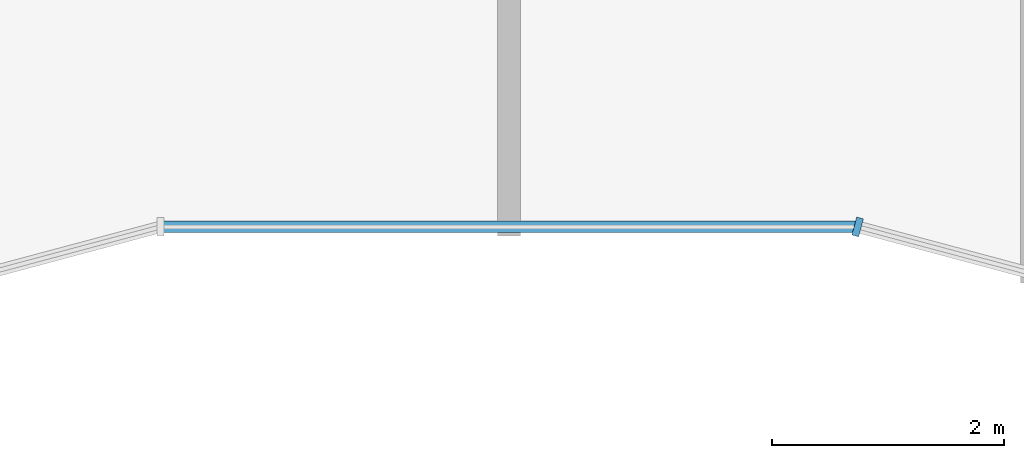
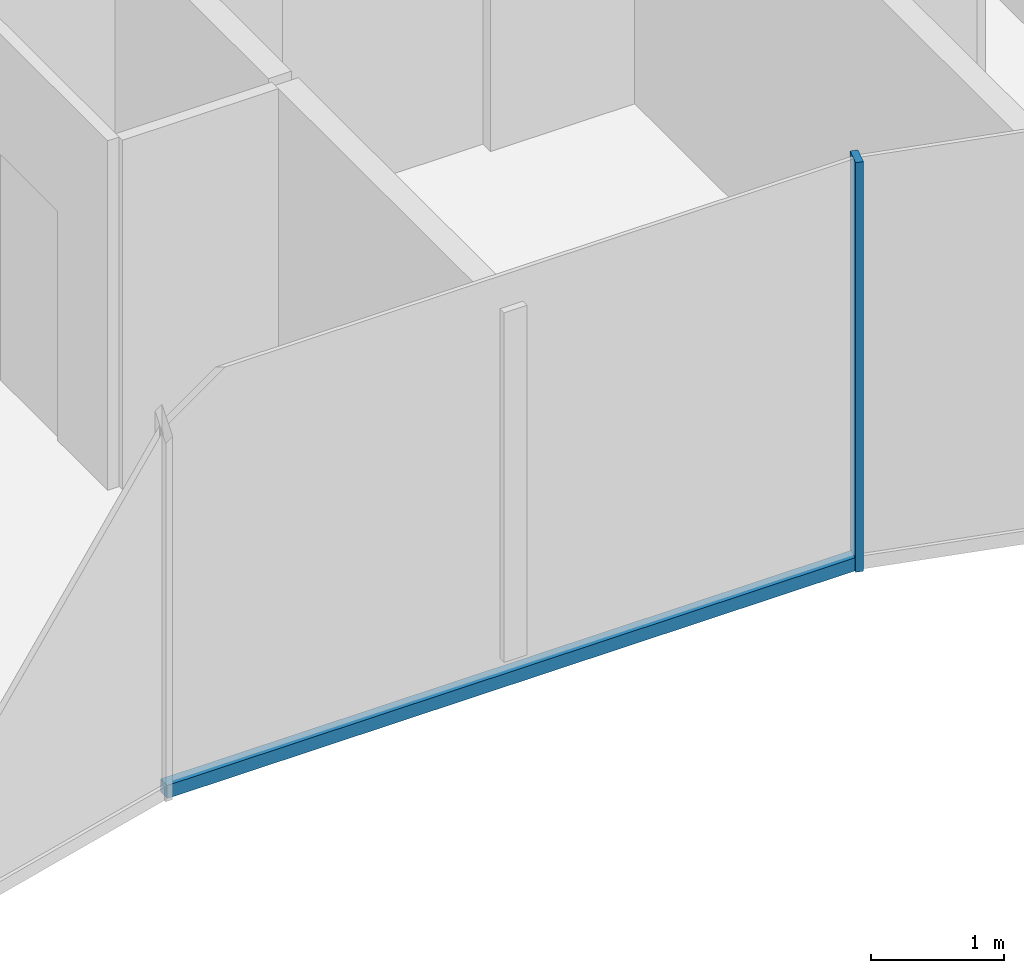
# One storey, part 3 of 9: 2 members, 2 elements without a shape of their own.
"""IFC4 building model written with IfcOpenShell, lengths in metres."""

from ifc_helpers import new_model, si_unit, direction, frame, origin, origin_2d, place, context, subcontext, project, spatial, rectangle, extrude, material, layer, layer_set, material_profile, profile_set, type_object, element, aggregate, save


model = new_model("IFC4")

# Units and contexts
model_context = context("Model", 3, precision=1e-05, world=origin(), true_north=direction((0.0, 1.0)))
body_context = subcontext(model_context, "Body", "Model", "MODEL_VIEW")
ifc_project = project(units=[si_unit("LENGTHUNIT", "METRE"), si_unit("AREAUNIT", "SQUARE_METRE"), si_unit("VOLUMEUNIT", "CUBIC_METRE"), si_unit("PLANEANGLEUNIT", "RADIAN"), si_unit("MASSUNIT", "GRAM", prefix="KILO")], contexts=[model_context])

# Site, building, storey
site_placement = place(None, origin())
site = spatial("IfcSite", under=ifc_project, at=site_placement, CompositionType="ELEMENT")
building_placement = place(site_placement, origin())
building = spatial("IfcBuilding", under=site, at=building_placement, Name="Plateau Cross Towers", CompositionType="ELEMENT")
storey_placement = place(building_placement, frame((0.0, 0.0, 232.89990234375)))
storey = spatial("IfcBuildingStorey", under=building, at=storey_placement, Name="L61", CompositionType="ELEMENT", Elevation=232.89990234375)

# Curtain wall, member
ifc_material_1 = material(Name="Dark low-iron glass", Category="glass")
ifc_layer = layer(ifc_material_1, 0.260009765625)
ifc_layer_set = layer_set([ifc_layer], Name="Dark low-iron glass")
curtain_wall_type = type_object("IfcCurtainWallType", Name="Curtain wall fluted unitised CW-A", PredefinedType="NOTDEFINED", material=ifc_layer_set)
curtain_wall_1_placement = place(storey_placement, origin())
curtain_wall_1 = element("IfcCurtainWall", 1, at=curtain_wall_1_placement, inside=storey, type_object=curtain_wall_type, Name="ENV/A/L61/A300_16", PredefinedType="NOTDEFINED")
ifc_material_2 = material(Name="Black anodised aluminium", Category="aluminium")
ifc_material_profile_1 = material_profile(ifc_material_2, rectangle(XDim=0.06005859375, YDim=0.159912109375, at=origin_2d()), Name="MULLION 60x160")
ifc_profile_set_1 = profile_set([ifc_material_profile_1], Name="Black anodised aluminium")
member_type_1 = type_object("IfcMemberType", Name="Mullion 60x160 fluted unitised", PredefinedType="MULLION", material=ifc_profile_set_1)
member_1_placement = place(storey_placement, frame((30.0, 1.60693359375, -0.25), z_axis=(0.0, 0.0, 1.0), x_axis=(0.965957983404, -0.258699003279, 0.0)))
member_1 = element("IfcMember", 2, at=member_1_placement, type_object=member_type_1, Name="CW-A mullion 1", PredefinedType="MULLION", context=body_context, shape_type="SweptSolid", body=[
    extrude(rectangle(XDim=0.06005859375, YDim=0.159912109375, at=origin_2d()), origin(), (0.0, 0.0, 1.0), 3.75),
])
aggregate(curtain_wall_1, [member_1])

curtain_wall_2_placement = place(storey_placement, origin())
curtain_wall_2 = element("IfcCurtainWall", 3, at=curtain_wall_2_placement, inside=storey, type_object=curtain_wall_type, Name="ENV/A/L61/A240_16", PredefinedType="NOTDEFINED")
ifc_material_profile_2 = material_profile(ifc_material_2, rectangle(XDim=0.10009765625, YDim=0.1201171875, at=origin_2d()), Name="TRANSOM 100x120")
ifc_profile_set_2 = profile_set([ifc_material_profile_2], Name="Black anodised aluminium")
member_type_2 = type_object("IfcMemberType", Name="Transom 100x120 fluted unitised", PredefinedType="USERDEFINED", material=ifc_profile_set_2)
member_2_placement = place(storey_placement, frame((24.0, 1.60693359375, -0.18994140625), z_axis=(1.0, 0.0, 0.0), x_axis=(0.0, 1.0, 0.0)))
member_2 = element("IfcMember", 4, at=member_2_placement, type_object=member_type_2, Name="CW-A transom", ObjectType="TRANSOM", PredefinedType="USERDEFINED", context=body_context, shape_type="SweptSolid", body=[
    extrude(rectangle(XDim=0.10009765625, YDim=0.1201171875, at=origin_2d()), origin(), (0.0, 0.0, 1.0), 6.0),
])
aggregate(curtain_wall_2, [member_2])

save(model, "model.ifc")
